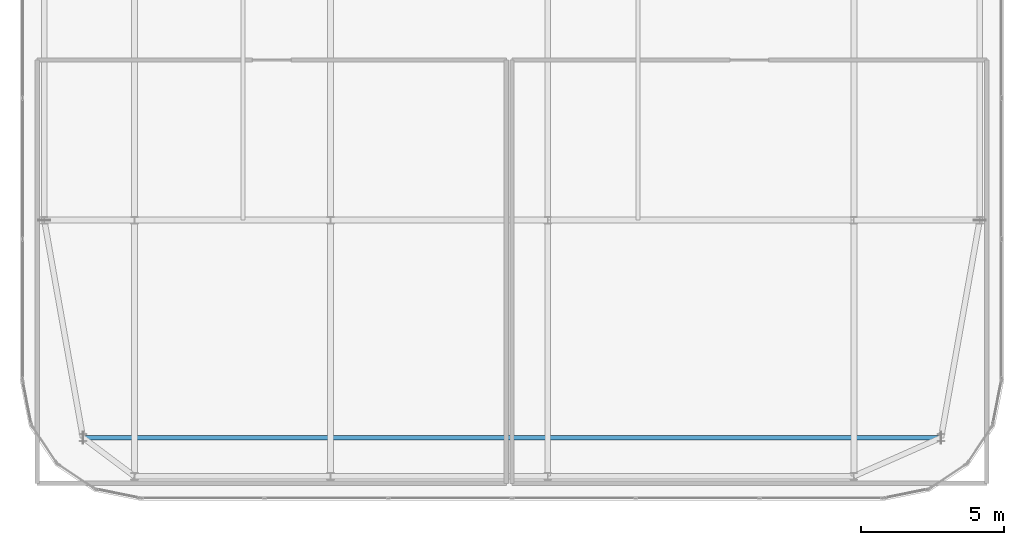
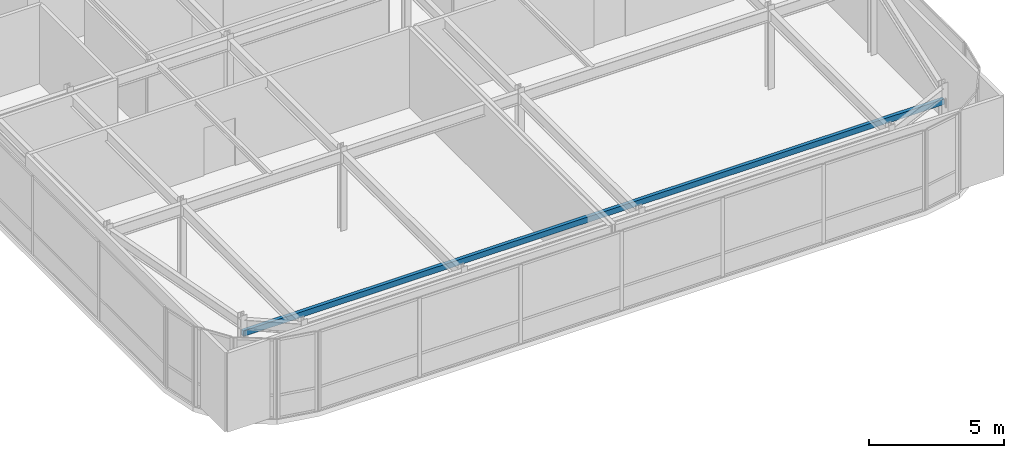
# One storey, part 11 of 36: 1 member.
"""IFC4 building model written with IfcOpenShell, lengths in metres."""

from ifc_helpers import new_model, si_unit, direction, frame, origin, origin_2d, place, context, subcontext, project, spatial, hollow_rectangle, extrude, source, transform, mapped, material, material_profile, profile_set, type_object, type_shapes, element, save


model = new_model("IFC4")

# Units and contexts
model_context = context("Model", 3, precision=1e-05, world=origin(), true_north=direction((0.0, 1.0)))
body_context = subcontext(model_context, "Body", "Model", "MODEL_VIEW")
ifc_project = project(units=[si_unit("LENGTHUNIT", "METRE"), si_unit("AREAUNIT", "SQUARE_METRE"), si_unit("VOLUMEUNIT", "CUBIC_METRE"), si_unit("PLANEANGLEUNIT", "RADIAN"), si_unit("MASSUNIT", "GRAM", prefix="KILO")], contexts=[model_context])

# Site, building, storey
site_placement = place(None, origin())
site = spatial("IfcSite", under=ifc_project, at=site_placement, CompositionType="ELEMENT")
building_placement = place(site_placement, origin())
building = spatial("IfcBuilding", under=site, at=building_placement, Name="Tolvann Quenvar Hotel", CompositionType="ELEMENT")
storey_placement = place(building_placement, frame((0.0, 0.0, 294.75)))
storey = spatial("IfcBuildingStorey", under=building, at=storey_placement, Name="L78", CompositionType="ELEMENT", Elevation=294.75)

# Member
ifc_material = material(Name="Steel Grade 450 (C450L0)", Category="steel")
ifc_material_profile = material_profile(ifc_material, hollow_rectangle(XDim=0.14990234375, YDim=0.25, WallThickness=0.009033203125, at=origin_2d()), Name="250x150x9RHS")
ifc_profile_set = profile_set([ifc_material_profile], Name="Steel Grade 450 (C450L0)")
member_type = type_object("IfcMemberType", Name="MEM_CROWN_250RHS", PredefinedType="USERDEFINED", material=ifc_profile_set)
shared_shape = source(origin(), body_context, "Body", "SweptSolid", [
    extrude(hollow_rectangle(XDim=0.14990234375, YDim=0.25, WallThickness=0.009033203125, at=origin_2d()), origin(), (0.0, 0.0, 1.0), 30.0),
])
type_shapes(member_type, [shared_shape])
member_placement = place(storey_placement, frame((5.800048828125, 8.39990234375, 2.929931640625), z_axis=(1.0, 0.0, 0.0), x_axis=(0.0, 1.0, 0.0)))
element("IfcMember", 1, at=member_placement, inside=storey, type_object=member_type, Name="Crown Frame Ring Member (L78-1)", ObjectType="CROWN FRAME", PredefinedType="USERDEFINED", context=body_context, shape_type="MappedRepresentation", body=[
    mapped(shared_shape, transform((0.0, 0.0, 0.0), x_axis=(1.0, 0.0, 0.0), y_axis=(0.0, 1.0, 0.0), z_axis=(0.0, 0.0, 1.0), scale=1.0)),
])

save(model, "model.ifc")
